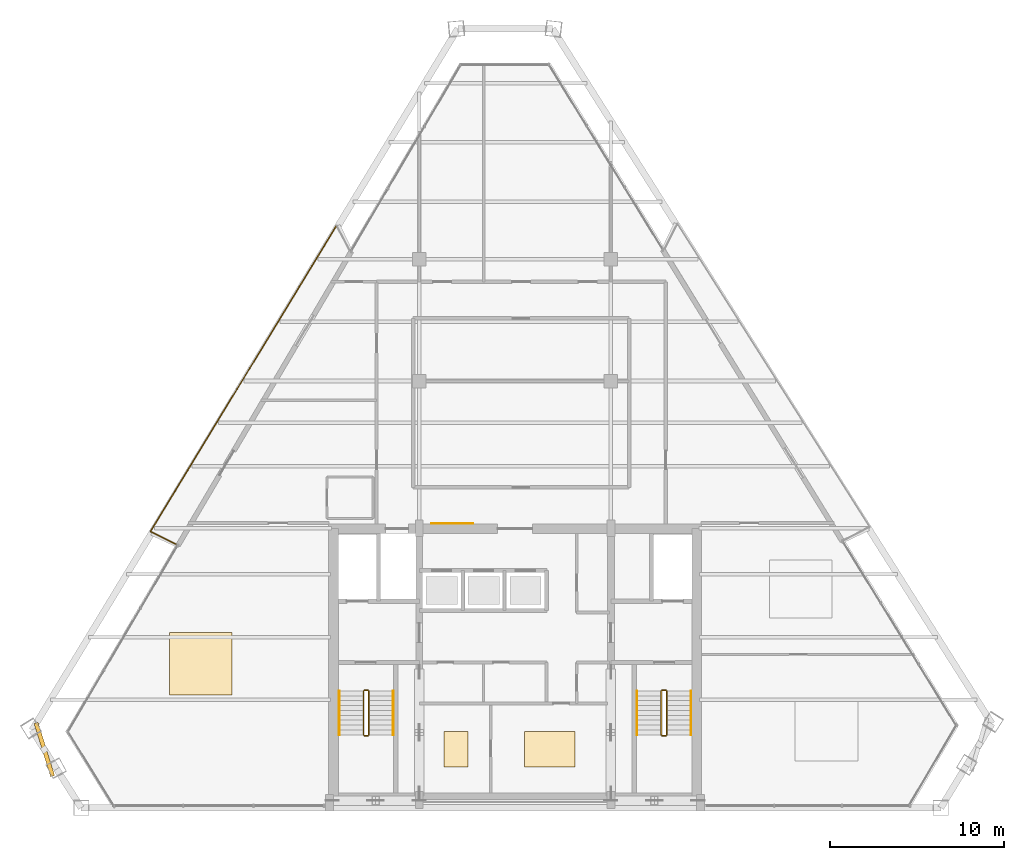
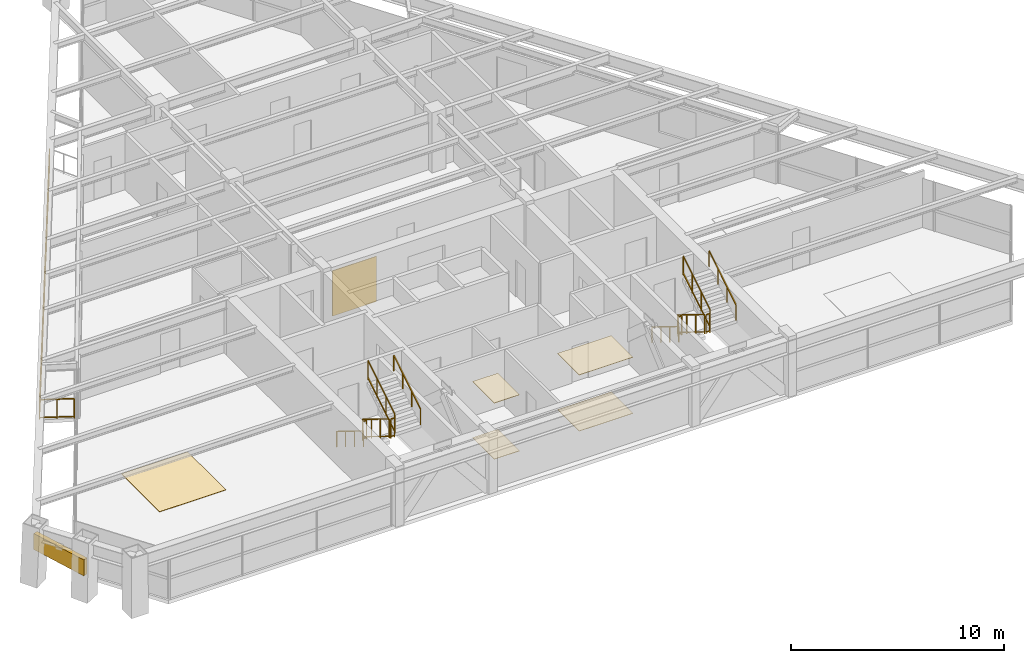
# One storey, part 12 of 14: 14 railings, 6 coverings, 1 shading device.
"""IFC4 building model written with IfcOpenShell, lengths in metres."""

from ifc_helpers import new_model, si_unit, direction, frame, origin, origin_2d, place, context, subcontext, project, spatial, rectangle, extrude, source, transform, mapped, material, layer, layer_set, type_object, type_shapes, element, save


model = new_model("IFC4")

# Units and contexts
model_context = context("Model", 3, precision=1e-05, world=origin(), true_north=direction((0.0, 1.0)))
body_context = subcontext(model_context, "Body", "Model", "MODEL_VIEW")
ifc_project = project(units=[si_unit("LENGTHUNIT", "METRE"), si_unit("AREAUNIT", "SQUARE_METRE"), si_unit("VOLUMEUNIT", "CUBIC_METRE"), si_unit("PLANEANGLEUNIT", "RADIAN"), si_unit("MASSUNIT", "GRAM", prefix="KILO")], contexts=[model_context])

# Site, building, storey
site_placement = place(None, origin())
site = spatial("IfcSite", under=ifc_project, at=site_placement, CompositionType="ELEMENT")
building_placement = place(site_placement, origin())
building = spatial("IfcBuilding", under=site, at=building_placement, Name="Varnakhor Terracotta Tower", CompositionType="ELEMENT")
storey_placement = place(building_placement, frame((0.0, 0.0, 240.699951171875)))
storey = spatial("IfcBuildingStorey", under=building, at=storey_placement, Name="L62", CompositionType="ELEMENT", Elevation=240.699951171875)

# Railings
ifc_material_1 = material(Name="Stainless Steel & Laminated Glass Guardrail", Category="steel")
railing_type_1 = type_object("IfcRailingType", Name="RLG-LOGGIA-GUARD-1150", PredefinedType="GUARDRAIL", material=ifc_material_1)
railing_1_placement = place(storey_placement, frame((-19.47021484375, 15.12744140625, 0.0)))
element("IfcRailing", 1, at=railing_1_placement, inside=storey, type_object=railing_type_1, Name="L62 W Loggia Glass Guard 1", PredefinedType="GUARDRAIL", context=body_context, shape_type="SweptSolid", body=[
    extrude(rectangle(XDim=0.048095703125, YDim=0.048095703125, at=origin_2d()), frame((0.0, 0.0, 1.1259765625), z_axis=(-0.891874382616, 0.452283191854, 0.0), x_axis=(-0.452283191854, -0.891874382616, 0.0)), (0.0, 0.0, 1.0), 1.635009765625),
    extrude(rectangle(XDim=0.048095703125, YDim=0.048095703125, at=origin_2d()), frame((0.0, 0.0, 0.10009765625), z_axis=(-0.891874382616, 0.452283191854, 0.0), x_axis=(-0.452283191854, -0.891874382616, 0.0)), (0.0, 0.0, 1.0), 1.635009765625),
    extrude(rectangle(XDim=0.0419921875, YDim=0.0419921875, at=origin_2d()), origin(), (0.0, 0.0, 1.0), 1.101806640625),
    extrude(rectangle(XDim=0.0419921875, YDim=0.0419921875, at=origin_2d()), frame((-0.72900390625, 0.36962890625, 0.0)), (0.0, 0.0, 1.0), 1.101806640625),
    extrude(rectangle(XDim=0.0419921875, YDim=0.0419921875, at=origin_2d()), frame((-1.458251953125, 0.739501953125, 0.0)), (0.0, 0.0, 1.0), 1.101806640625),
])
railing_2_placement = place(storey_placement, frame((-20.928466796875, 15.866943359375, 0.0)))
element("IfcRailing", 2, at=railing_2_placement, inside=storey, type_object=railing_type_1, Name="L62 W Loggia Glass Guard 2", PredefinedType="GUARDRAIL", context=body_context, shape_type="SweptSolid", body=[
    extrude(rectangle(XDim=0.048095703125, YDim=0.048095703125, at=origin_2d()), frame((0.0, 0.0, 1.1259765625), z_axis=(0.519663919817, 0.854370768718, 0.0), x_axis=(-0.854370768718, 0.519663919817, 0.0)), (0.0, 0.0, 1.0), 20.553466796875),
    extrude(rectangle(XDim=0.048095703125, YDim=0.048095703125, at=origin_2d()), frame((0.0, 0.0, 0.10009765625), z_axis=(0.519663919817, 0.854370768718, 0.0), x_axis=(-0.854370768718, 0.519663919817, 0.0)), (0.0, 0.0, 1.0), 20.553466796875),
    extrude(rectangle(XDim=0.0419921875, YDim=0.0419921875, at=origin_2d()), origin(), (0.0, 0.0, 1.0), 1.101806640625),
    extrude(rectangle(XDim=0.0419921875, YDim=0.0419921875, at=origin_2d()), frame((0.712158203125, 1.170654296875, 0.0)), (0.0, 0.0, 1.0), 1.101806640625),
    extrude(rectangle(XDim=0.0419921875, YDim=0.0419921875, at=origin_2d()), frame((1.424072265625, 2.34130859375, 0.0)), (0.0, 0.0, 1.0), 1.101806640625),
    extrude(rectangle(XDim=0.0419921875, YDim=0.0419921875, at=origin_2d()), frame((2.13623046875, 3.511962890625, 0.0)), (0.0, 0.0, 1.0), 1.101806640625),
    extrude(rectangle(XDim=0.0419921875, YDim=0.0419921875, at=origin_2d()), frame((2.84814453125, 4.682861328125, 0.0)), (0.0, 0.0, 1.0), 1.101806640625),
    extrude(rectangle(XDim=0.0419921875, YDim=0.0419921875, at=origin_2d()), frame((3.560302734375, 5.853515625, 0.0)), (0.0, 0.0, 1.0), 1.101806640625),
    extrude(rectangle(XDim=0.0419921875, YDim=0.0419921875, at=origin_2d()), frame((4.2724609375, 7.024169921875, 0.0)), (0.0, 0.0, 1.0), 1.101806640625),
    extrude(rectangle(XDim=0.0419921875, YDim=0.0419921875, at=origin_2d()), frame((4.984375, 8.19482421875, 0.0)), (0.0, 0.0, 1.0), 1.101806640625),
    extrude(rectangle(XDim=0.0419921875, YDim=0.0419921875, at=origin_2d()), frame((5.696533203125, 9.365478515625, 0.0)), (0.0, 0.0, 1.0), 1.101806640625),
    extrude(rectangle(XDim=0.0419921875, YDim=0.0419921875, at=origin_2d()), frame((6.408447265625, 10.5361328125, 0.0)), (0.0, 0.0, 1.0), 1.101806640625),
    extrude(rectangle(XDim=0.0419921875, YDim=0.0419921875, at=origin_2d()), frame((7.12060546875, 11.706787109375, 0.0)), (0.0, 0.0, 1.0), 1.101806640625),
    extrude(rectangle(XDim=0.0419921875, YDim=0.0419921875, at=origin_2d()), frame((7.832763671875, 12.87744140625, 0.0)), (0.0, 0.0, 1.0), 1.101806640625),
    extrude(rectangle(XDim=0.0419921875, YDim=0.0419921875, at=origin_2d()), frame((8.544677734375, 14.04833984375, 0.0)), (0.0, 0.0, 1.0), 1.101806640625),
    extrude(rectangle(XDim=0.0419921875, YDim=0.0419921875, at=origin_2d()), frame((9.2568359375, 15.218994140625, 0.0)), (0.0, 0.0, 1.0), 1.101806640625),
    extrude(rectangle(XDim=0.0419921875, YDim=0.0419921875, at=origin_2d()), frame((9.96875, 16.3896484375, 0.0)), (0.0, 0.0, 1.0), 1.101806640625),
    extrude(rectangle(XDim=0.0419921875, YDim=0.0419921875, at=origin_2d()), frame((10.680908203125, 17.560302734375, 0.0)), (0.0, 0.0, 1.0), 1.101806640625),
])
ifc_material_2 = material(Name="Painted Steel Stairwell Guardrail", Category="steel")
railing_type_2 = type_object("IfcRailingType", Name="RLG-STAIR-GUARD-1120", PredefinedType="GUARDRAIL", material=ifc_material_2)
railing_3_placement = place(storey_placement, frame((-8.699951171875, 6.7099609375, 0.172607421875)))
element("IfcRailing", 3, at=railing_3_placement, inside=storey, type_object=railing_type_2, Name="L62 ST-1 stair guard 1", PredefinedType="GUARDRAIL", context=body_context, shape_type="SweptSolid", body=[
    extrude(rectangle(XDim=0.048095703125, YDim=0.048095703125, at=origin_2d()), frame((0.0, 0.0, 1.09619140625), z_axis=(0.0, -0.851400495292, 0.524516154772), x_axis=(1.0, 0.0, 0.0)), (0.0, 0.0, 1.0), 2.9599609375),
    extrude(rectangle(XDim=0.048095703125, YDim=0.048095703125, at=origin_2d()), frame((0.0, 0.0, 0.10009765625), z_axis=(0.0, -0.851400495292, 0.524516154772), x_axis=(1.0, 0.0, 0.0)), (0.0, 0.0, 1.0), 2.9599609375),
    extrude(rectangle(XDim=0.0419921875, YDim=0.0419921875, at=origin_2d()), origin(), (0.0, 0.0, 1.0), 1.072021484375),
    extrude(rectangle(XDim=0.0419921875, YDim=0.0419921875, at=origin_2d()), frame((0.0, -0.840087890625, 0.517578125)), (0.0, 0.0, 1.0), 1.072021484375),
    extrude(rectangle(XDim=0.0419921875, YDim=0.0419921875, at=origin_2d()), frame((0.0, -1.679931640625, 1.034912109375)), (0.0, 0.0, 1.0), 1.072021484375),
    extrude(rectangle(XDim=0.0419921875, YDim=0.0419921875, at=origin_2d()), frame((0.0, -2.52001953125, 1.552490234375)), (0.0, 0.0, 1.0), 1.072021484375),
])
railing_4_placement = place(storey_placement, frame((-8.64990234375, 4.139892578125, 1.72509765625)))
element("IfcRailing", 4, at=railing_4_placement, inside=storey, type_object=railing_type_2, Name="L62 ST-1 stair guard 2", PredefinedType="GUARDRAIL", context=body_context, shape_type="SweptSolid", body=[
    extrude(rectangle(XDim=0.048095703125, YDim=0.048095703125, at=origin_2d()), frame((0.0, 0.0, 1.09619140625), z_axis=(1.0, 0.0, 0.0), x_axis=(0.0, 1.0, 0.0)), (0.0, 0.0, 1.0), 0.199951171875),
    extrude(rectangle(XDim=0.048095703125, YDim=0.048095703125, at=origin_2d()), frame((0.0, 0.0, 0.10009765625), z_axis=(1.0, 0.0, 0.0), x_axis=(0.0, 1.0, 0.0)), (0.0, 0.0, 1.0), 0.199951171875),
    extrude(rectangle(XDim=0.0419921875, YDim=0.0419921875, at=origin_2d()), origin(), (0.0, 0.0, 1.0), 1.072021484375),
    extrude(rectangle(XDim=0.0419921875, YDim=0.0419921875, at=origin_2d()), frame((0.199951171875, 0.0, 0.0)), (0.0, 0.0, 1.0), 1.072021484375),
])
railing_5_placement = place(storey_placement, frame((-8.39990234375, 4.18994140625, 1.8974609375)))
element("IfcRailing", 5, at=railing_5_placement, inside=storey, type_object=railing_type_2, Name="L62 ST-1 stair guard 3", PredefinedType="GUARDRAIL", context=body_context, shape_type="SweptSolid", body=[
    extrude(rectangle(XDim=0.048095703125, YDim=0.048095703125, at=origin_2d()), frame((0.0, 0.0, 1.09619140625), z_axis=(0.0, 0.851400495292, 0.524516154772), x_axis=(-1.0, 0.0, 0.0)), (0.0, 0.0, 1.0), 2.9599609375),
    extrude(rectangle(XDim=0.048095703125, YDim=0.048095703125, at=origin_2d()), frame((0.0, 0.0, 0.10009765625), z_axis=(0.0, 0.851400495292, 0.524516154772), x_axis=(-1.0, 0.0, 0.0)), (0.0, 0.0, 1.0), 2.9599609375),
    extrude(rectangle(XDim=0.0419921875, YDim=0.0419921875, at=origin_2d()), origin(), (0.0, 0.0, 1.0), 1.072021484375),
    extrude(rectangle(XDim=0.0419921875, YDim=0.0419921875, at=origin_2d()), frame((0.0, 0.840087890625, 0.517578125)), (0.0, 0.0, 1.0), 1.072021484375),
    extrude(rectangle(XDim=0.0419921875, YDim=0.0419921875, at=origin_2d()), frame((0.0, 1.679931640625, 1.034912109375)), (0.0, 0.0, 1.0), 1.072021484375),
    extrude(rectangle(XDim=0.0419921875, YDim=0.0419921875, at=origin_2d()), frame((0.0, 2.52001953125, 1.552490234375)), (0.0, 0.0, 1.0), 1.072021484375),
])
railing_6_placement = place(storey_placement, frame((-8.64990234375, 6.760009765625, 0.0)))
element("IfcRailing", 6, at=railing_6_placement, inside=storey, type_object=railing_type_2, Name="L62 ST-1 stair guard 4", PredefinedType="GUARDRAIL", context=body_context, shape_type="SweptSolid", body=[
    extrude(rectangle(XDim=0.048095703125, YDim=0.048095703125, at=origin_2d()), frame((0.0, 0.0, 1.09619140625), z_axis=(1.0, 0.0, 0.0), x_axis=(0.0, 1.0, 0.0)), (0.0, 0.0, 1.0), 0.199951171875),
    extrude(rectangle(XDim=0.048095703125, YDim=0.048095703125, at=origin_2d()), frame((0.0, 0.0, 0.10009765625), z_axis=(1.0, 0.0, 0.0), x_axis=(0.0, 1.0, 0.0)), (0.0, 0.0, 1.0), 0.199951171875),
    extrude(rectangle(XDim=0.0419921875, YDim=0.0419921875, at=origin_2d()), origin(), (0.0, 0.0, 1.0), 1.072021484375),
    extrude(rectangle(XDim=0.0419921875, YDim=0.0419921875, at=origin_2d()), frame((0.199951171875, 0.0, 0.0)), (0.0, 0.0, 1.0), 1.072021484375),
])
railing_7_placement = place(storey_placement, frame((8.39990234375, 6.7099609375, 0.172607421875)))
element("IfcRailing", 7, at=railing_7_placement, inside=storey, type_object=railing_type_2, Name="L62 ST-2 stair guard 1", PredefinedType="GUARDRAIL", context=body_context, shape_type="SweptSolid", body=[
    extrude(rectangle(XDim=0.048095703125, YDim=0.048095703125, at=origin_2d()), frame((0.0, 0.0, 1.09619140625), z_axis=(0.0, -0.851400495292, 0.524516154772), x_axis=(1.0, 0.0, 0.0)), (0.0, 0.0, 1.0), 2.9599609375),
    extrude(rectangle(XDim=0.048095703125, YDim=0.048095703125, at=origin_2d()), frame((0.0, 0.0, 0.10009765625), z_axis=(0.0, -0.851400495292, 0.524516154772), x_axis=(1.0, 0.0, 0.0)), (0.0, 0.0, 1.0), 2.9599609375),
    extrude(rectangle(XDim=0.0419921875, YDim=0.0419921875, at=origin_2d()), origin(), (0.0, 0.0, 1.0), 1.072021484375),
    extrude(rectangle(XDim=0.0419921875, YDim=0.0419921875, at=origin_2d()), frame((0.0, -0.840087890625, 0.517578125)), (0.0, 0.0, 1.0), 1.072021484375),
    extrude(rectangle(XDim=0.0419921875, YDim=0.0419921875, at=origin_2d()), frame((0.0, -1.679931640625, 1.034912109375)), (0.0, 0.0, 1.0), 1.072021484375),
    extrude(rectangle(XDim=0.0419921875, YDim=0.0419921875, at=origin_2d()), frame((0.0, -2.52001953125, 1.552490234375)), (0.0, 0.0, 1.0), 1.072021484375),
])
railing_8_placement = place(storey_placement, frame((8.449951171875, 4.139892578125, 1.72509765625)))
element("IfcRailing", 8, at=railing_8_placement, inside=storey, type_object=railing_type_2, Name="L62 ST-2 stair guard 2", PredefinedType="GUARDRAIL", context=body_context, shape_type="SweptSolid", body=[
    extrude(rectangle(XDim=0.048095703125, YDim=0.048095703125, at=origin_2d()), frame((0.0, 0.0, 1.09619140625), z_axis=(1.0, 0.0, 0.0), x_axis=(0.0, 1.0, 0.0)), (0.0, 0.0, 1.0), 0.199951171875),
    extrude(rectangle(XDim=0.048095703125, YDim=0.048095703125, at=origin_2d()), frame((0.0, 0.0, 0.10009765625), z_axis=(1.0, 0.0, 0.0), x_axis=(0.0, 1.0, 0.0)), (0.0, 0.0, 1.0), 0.199951171875),
    extrude(rectangle(XDim=0.0419921875, YDim=0.0419921875, at=origin_2d()), origin(), (0.0, 0.0, 1.0), 1.072021484375),
    extrude(rectangle(XDim=0.0419921875, YDim=0.0419921875, at=origin_2d()), frame((0.199951171875, 0.0, 0.0)), (0.0, 0.0, 1.0), 1.072021484375),
])
railing_9_placement = place(storey_placement, frame((8.699951171875, 4.18994140625, 1.8974609375)))
element("IfcRailing", 9, at=railing_9_placement, inside=storey, type_object=railing_type_2, Name="L62 ST-2 stair guard 3", PredefinedType="GUARDRAIL", context=body_context, shape_type="SweptSolid", body=[
    extrude(rectangle(XDim=0.048095703125, YDim=0.048095703125, at=origin_2d()), frame((0.0, 0.0, 1.09619140625), z_axis=(0.0, 0.851400495292, 0.524516154772), x_axis=(-1.0, 0.0, 0.0)), (0.0, 0.0, 1.0), 2.9599609375),
    extrude(rectangle(XDim=0.048095703125, YDim=0.048095703125, at=origin_2d()), frame((0.0, 0.0, 0.10009765625), z_axis=(0.0, 0.851400495292, 0.524516154772), x_axis=(-1.0, 0.0, 0.0)), (0.0, 0.0, 1.0), 2.9599609375),
    extrude(rectangle(XDim=0.0419921875, YDim=0.0419921875, at=origin_2d()), origin(), (0.0, 0.0, 1.0), 1.072021484375),
    extrude(rectangle(XDim=0.0419921875, YDim=0.0419921875, at=origin_2d()), frame((0.0, 0.840087890625, 0.517578125)), (0.0, 0.0, 1.0), 1.072021484375),
    extrude(rectangle(XDim=0.0419921875, YDim=0.0419921875, at=origin_2d()), frame((0.0, 1.679931640625, 1.034912109375)), (0.0, 0.0, 1.0), 1.072021484375),
    extrude(rectangle(XDim=0.0419921875, YDim=0.0419921875, at=origin_2d()), frame((0.0, 2.52001953125, 1.552490234375)), (0.0, 0.0, 1.0), 1.072021484375),
])
railing_10_placement = place(storey_placement, frame((8.449951171875, 6.760009765625, 0.0)))
element("IfcRailing", 10, at=railing_10_placement, inside=storey, type_object=railing_type_2, Name="L62 ST-2 stair guard 4", PredefinedType="GUARDRAIL", context=body_context, shape_type="SweptSolid", body=[
    extrude(rectangle(XDim=0.048095703125, YDim=0.048095703125, at=origin_2d()), frame((0.0, 0.0, 1.09619140625), z_axis=(1.0, 0.0, 0.0), x_axis=(0.0, 1.0, 0.0)), (0.0, 0.0, 1.0), 0.199951171875),
    extrude(rectangle(XDim=0.048095703125, YDim=0.048095703125, at=origin_2d()), frame((0.0, 0.0, 0.10009765625), z_axis=(1.0, 0.0, 0.0), x_axis=(0.0, 1.0, 0.0)), (0.0, 0.0, 1.0), 0.199951171875),
    extrude(rectangle(XDim=0.0419921875, YDim=0.0419921875, at=origin_2d()), origin(), (0.0, 0.0, 1.0), 1.072021484375),
    extrude(rectangle(XDim=0.0419921875, YDim=0.0419921875, at=origin_2d()), frame((0.199951171875, 0.0, 0.0)), (0.0, 0.0, 1.0), 1.072021484375),
])
ifc_material_3 = material(Name="Brushed Stainless Steel Handrail", Category="steel")
railing_type_3 = type_object("IfcRailingType", Name="RLG-STAIR-HANDRAIL-920", PredefinedType="HANDRAIL", material=ifc_material_3)
railing_11_placement = place(storey_placement, frame((-10.10009765625, 6.7099609375, 0.172607421875)))
element("IfcRailing", 11, at=railing_11_placement, inside=storey, type_object=railing_type_3, Name="L62 ST-1 stair handrail 1", PredefinedType="HANDRAIL", context=body_context, shape_type="SweptSolid", body=[
    extrude(rectangle(XDim=0.048095703125, YDim=0.048095703125, at=origin_2d()), frame((0.0, 0.0, 0.89599609375), z_axis=(0.0, -0.851400495292, 0.524516154772), x_axis=(1.0, 0.0, 0.0)), (0.0, 0.0, 1.0), 2.9599609375),
    extrude(rectangle(XDim=0.0419921875, YDim=0.0419921875, at=origin_2d()), origin(), (0.0, 0.0, 1.0), 0.871826171875),
    extrude(rectangle(XDim=0.0419921875, YDim=0.0419921875, at=origin_2d()), frame((0.0, -0.840087890625, 0.517578125)), (0.0, 0.0, 1.0), 0.871826171875),
    extrude(rectangle(XDim=0.0419921875, YDim=0.0419921875, at=origin_2d()), frame((0.0, -1.679931640625, 1.034912109375)), (0.0, 0.0, 1.0), 0.871826171875),
    extrude(rectangle(XDim=0.0419921875, YDim=0.0419921875, at=origin_2d()), frame((0.0, -2.52001953125, 1.552490234375)), (0.0, 0.0, 1.0), 0.871826171875),
])
railing_12_placement = place(storey_placement, frame((-7.0, 4.18994140625, 1.8974609375)))
element("IfcRailing", 12, at=railing_12_placement, inside=storey, type_object=railing_type_3, Name="L62 ST-1 stair handrail 2", PredefinedType="HANDRAIL", context=body_context, shape_type="SweptSolid", body=[
    extrude(rectangle(XDim=0.048095703125, YDim=0.048095703125, at=origin_2d()), frame((0.0, 0.0, 0.89599609375), z_axis=(0.0, 0.851400495292, 0.524516154772), x_axis=(-1.0, 0.0, 0.0)), (0.0, 0.0, 1.0), 2.9599609375),
    extrude(rectangle(XDim=0.0419921875, YDim=0.0419921875, at=origin_2d()), origin(), (0.0, 0.0, 1.0), 0.871826171875),
    extrude(rectangle(XDim=0.0419921875, YDim=0.0419921875, at=origin_2d()), frame((0.0, 0.840087890625, 0.517578125)), (0.0, 0.0, 1.0), 0.871826171875),
    extrude(rectangle(XDim=0.0419921875, YDim=0.0419921875, at=origin_2d()), frame((0.0, 1.679931640625, 1.034912109375)), (0.0, 0.0, 1.0), 0.871826171875),
    extrude(rectangle(XDim=0.0419921875, YDim=0.0419921875, at=origin_2d()), frame((0.0, 2.52001953125, 1.552490234375)), (0.0, 0.0, 1.0), 0.871826171875),
])
railing_13_placement = place(storey_placement, frame((7.0, 6.7099609375, 0.172607421875)))
element("IfcRailing", 13, at=railing_13_placement, inside=storey, type_object=railing_type_3, Name="L62 ST-2 stair handrail 1", PredefinedType="HANDRAIL", context=body_context, shape_type="SweptSolid", body=[
    extrude(rectangle(XDim=0.048095703125, YDim=0.048095703125, at=origin_2d()), frame((0.0, 0.0, 0.89599609375), z_axis=(0.0, -0.851400495292, 0.524516154772), x_axis=(1.0, 0.0, 0.0)), (0.0, 0.0, 1.0), 2.9599609375),
    extrude(rectangle(XDim=0.0419921875, YDim=0.0419921875, at=origin_2d()), origin(), (0.0, 0.0, 1.0), 0.871826171875),
    extrude(rectangle(XDim=0.0419921875, YDim=0.0419921875, at=origin_2d()), frame((0.0, -0.840087890625, 0.517578125)), (0.0, 0.0, 1.0), 0.871826171875),
    extrude(rectangle(XDim=0.0419921875, YDim=0.0419921875, at=origin_2d()), frame((0.0, -1.679931640625, 1.034912109375)), (0.0, 0.0, 1.0), 0.871826171875),
    extrude(rectangle(XDim=0.0419921875, YDim=0.0419921875, at=origin_2d()), frame((0.0, -2.52001953125, 1.552490234375)), (0.0, 0.0, 1.0), 0.871826171875),
])
railing_14_placement = place(storey_placement, frame((10.10009765625, 4.18994140625, 1.8974609375)))
element("IfcRailing", 14, at=railing_14_placement, inside=storey, type_object=railing_type_3, Name="L62 ST-2 stair handrail 2", PredefinedType="HANDRAIL", context=body_context, shape_type="SweptSolid", body=[
    extrude(rectangle(XDim=0.048095703125, YDim=0.048095703125, at=origin_2d()), frame((0.0, 0.0, 0.89599609375), z_axis=(0.0, 0.851400495292, 0.524516154772), x_axis=(-1.0, 0.0, 0.0)), (0.0, 0.0, 1.0), 2.9599609375),
    extrude(rectangle(XDim=0.0419921875, YDim=0.0419921875, at=origin_2d()), origin(), (0.0, 0.0, 1.0), 0.871826171875),
    extrude(rectangle(XDim=0.0419921875, YDim=0.0419921875, at=origin_2d()), frame((0.0, 0.840087890625, 0.517578125)), (0.0, 0.0, 1.0), 0.871826171875),
    extrude(rectangle(XDim=0.0419921875, YDim=0.0419921875, at=origin_2d()), frame((0.0, 1.679931640625, 1.034912109375)), (0.0, 0.0, 1.0), 0.871826171875),
    extrude(rectangle(XDim=0.0419921875, YDim=0.0419921875, at=origin_2d()), frame((0.0, 2.52001953125, 1.552490234375)), (0.0, 0.0, 1.0), 0.871826171875),
])

# Shading device
ifc_material_4 = material(Name="Extruded Architectural Terracotta Screen", Category="masonry")
shading_device_type = type_object("IfcShadingDeviceType", Name="TERRACOTTA SOLAR SCREEN W", PredefinedType="USERDEFINED", material=ifc_material_4)
shared_shape_1 = source(origin(), body_context, "Body", "SweptSolid", [
    extrude(rectangle(XDim=3.199951171875, YDim=0.239990234375, at=origin_2d()), origin(), (0.0, 0.0, 1.0), 0.919921875),
])
type_shapes(shading_device_type, [shared_shape_1])
shading_device_placement = place(storey_placement, frame((-27.021484375, 3.344970703125, 1.56201171875), z_axis=(0.0, 0.0, 1.0), x_axis=(0.297524843884, -0.954714076188, 0.0)))
element("IfcShadingDevice", 15, at=shading_device_placement, inside=storey, type_object=shading_device_type, Name="L62 W Terracotta Solar Screen", ObjectType="SCREEN", PredefinedType="USERDEFINED", context=body_context, shape_type="MappedRepresentation", body=[
    mapped(shared_shape_1, transform((0.0, 0.0, 0.0), scale=1.0)),
])

# Coverings
ifc_material_5 = material(Name="Extruded Architectural Terracotta Cladding", Category="masonry")
ifc_layer_1 = layer(ifc_material_5, 0.044921875, Name="Extruded Architectural Terracotta Cladding")
ifc_layer_set_1 = layer_set([ifc_layer_1], Name="Extruded Architectural Terracotta Cladding")
covering_type_1 = type_object("IfcCoveringType", Name="COV-CLAD-TERRACOTTA", PredefinedType="CLADDING", material=ifc_layer_set_1)
shared_shape_2 = source(origin(), body_context, "Body", "SweptSolid", [
    extrude(rectangle(XDim=2.39990234375, YDim=0.030029296875, at=origin_2d()), origin(), (0.0, 0.0, 1.0), 2.60009765625),
])
type_shapes(covering_type_1, [shared_shape_2])
covering_1_placement = place(storey_placement, frame((-3.60009765625, 16.31201171875, 0.0), z_axis=(0.0, 0.0, 1.0), x_axis=(1.0, 0.0, 0.0)))
element("IfcCovering", 16, at=covering_1_placement, inside=storey, type_object=covering_type_1, Name="L62 Core Lobby Limestone Cladding", PredefinedType="CLADDING", context=body_context, shape_type="MappedRepresentation", body=[
    mapped(shared_shape_2, transform((0.0, 0.0, 0.0), scale=1.0)),
])
ifc_material_6 = material(Name="Honed Riyadh Limestone Flooring", Category="masonry")
ifc_layer_2 = layer(ifc_material_6, 0.030029296875, Name="Honed Riyadh Limestone Flooring")
ifc_layer_set_2 = layer_set([ifc_layer_2], Name="Honed Riyadh Limestone Flooring")
covering_type_2 = type_object("IfcCoveringType", Name="COV-FLOOR-LIMESTONE", PredefinedType="FLOORING", material=ifc_layer_set_2)
shared_shape_3 = source(origin(), body_context, "Body", "SweptSolid", [
    extrude(rectangle(XDim=3.60009765625, YDim=3.60009765625, at=origin_2d()), origin(), (0.0, 0.0, 1.0), 0.02001953125),
])
covering_2_placement = place(storey_placement, frame((-18.0439453125, 8.26611328125, 0.0), z_axis=(0.0, 0.0, 1.0), x_axis=(1.0, 0.0, 0.0)))
element("IfcCovering", 17, at=covering_2_placement, inside=storey, type_object=covering_type_2, Name="L62 Honed Stone Flooring 4", PredefinedType="FLOORING", context=body_context, shape_type="MappedRepresentation", body=[
    mapped(shared_shape_3, transform((0.0, 0.0, 0.0), scale=1.0)),
])
shared_shape_4 = source(origin(), body_context, "Body", "SweptSolid", [
    extrude(rectangle(XDim=1.375, YDim=2.041015625, at=origin_2d()), origin(), (0.0, 0.0, 1.0), 0.02001953125),
])
covering_3_placement = place(storey_placement, frame((-3.389892578125, 3.35498046875, 0.0), z_axis=(0.0, 0.0, 1.0), x_axis=(1.0, 0.0, 0.0)))
element("IfcCovering", 18, at=covering_3_placement, inside=storey, type_object=covering_type_2, Name="L62 Honed Stone Flooring 1", PredefinedType="FLOORING", context=body_context, shape_type="MappedRepresentation", body=[
    mapped(shared_shape_4, transform((0.0, 0.0, 0.0), scale=1.0)),
])
ifc_material_7 = material(Name="Perforated Acoustic Mineral-Fibre Ceiling", Category="gypsum")
ifc_layer_3 = layer(ifc_material_7, 0.02490234375, Name="Perforated Acoustic Mineral-Fibre Ceiling")
ifc_layer_set_3 = layer_set([ifc_layer_3], Name="Perforated Acoustic Mineral-Fibre Ceiling")
covering_type_3 = type_object("IfcCoveringType", Name="COV-CEILING-ACOUSTIC", PredefinedType="CEILING", material=ifc_layer_set_3)
shared_shape_5 = source(origin(), body_context, "Body", "SweptSolid", [
    extrude(rectangle(XDim=1.375, YDim=2.041015625, at=origin_2d()), origin(), (0.0, 0.0, 1.0), 0.02392578125),
])
covering_4_placement = place(storey_placement, frame((-3.389892578125, 3.35498046875, 3.216064453125), z_axis=(0.0, 0.0, 1.0), x_axis=(1.0, 0.0, 0.0)))
element("IfcCovering", 19, at=covering_4_placement, inside=storey, type_object=covering_type_3, Name="L62 Acoustic Ceiling Panel 1", PredefinedType="CEILING", context=body_context, shape_type="MappedRepresentation", body=[
    mapped(shared_shape_5, transform((0.0, 0.0, 0.0), scale=1.0)),
])
shared_shape_6 = source(origin(), body_context, "Body", "SweptSolid", [
    extrude(rectangle(XDim=2.9150390625, YDim=2.041015625, at=origin_2d()), origin(), (0.0, 0.0, 1.0), 0.02001953125),
])
covering_5_placement = place(storey_placement, frame((1.989990234375, 3.35498046875, 0.0), z_axis=(0.0, 0.0, 1.0), x_axis=(1.0, 0.0, 0.0)))
element("IfcCovering", 20, at=covering_5_placement, inside=storey, type_object=covering_type_2, Name="L62 Honed Stone Flooring 2", PredefinedType="FLOORING", context=body_context, shape_type="MappedRepresentation", body=[
    mapped(shared_shape_6, transform((0.0, 0.0, 0.0), scale=1.0)),
])
shared_shape_7 = source(origin(), body_context, "Body", "SweptSolid", [
    extrude(rectangle(XDim=2.9150390625, YDim=2.041015625, at=origin_2d()), origin(), (0.0, 0.0, 1.0), 0.02392578125),
])
covering_6_placement = place(storey_placement, frame((1.989990234375, 3.35498046875, 3.216064453125), z_axis=(0.0, 0.0, 1.0), x_axis=(1.0, 0.0, 0.0)))
element("IfcCovering", 21, at=covering_6_placement, inside=storey, type_object=covering_type_3, Name="L62 Acoustic Ceiling Panel 2", PredefinedType="CEILING", context=body_context, shape_type="MappedRepresentation", body=[
    mapped(shared_shape_7, transform((0.0, 0.0, 0.0), scale=1.0)),
])

save(model, "model.ifc")
